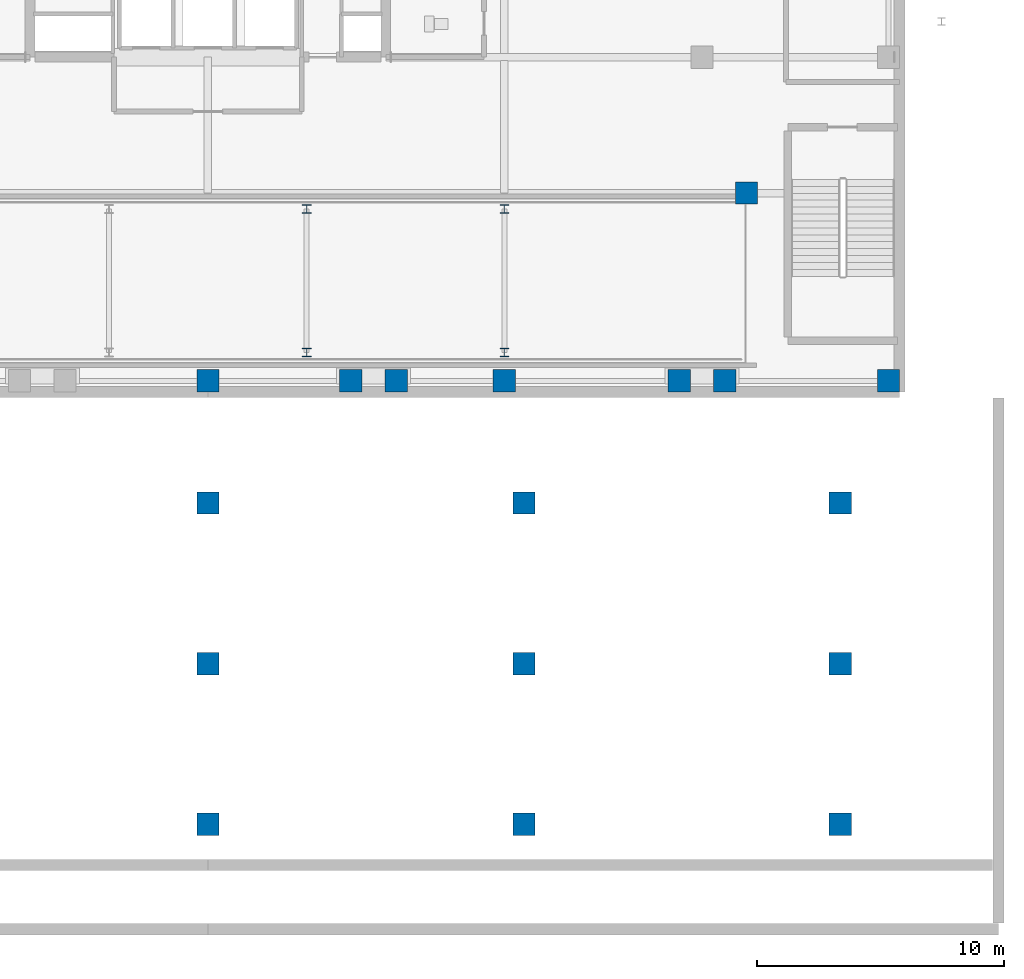
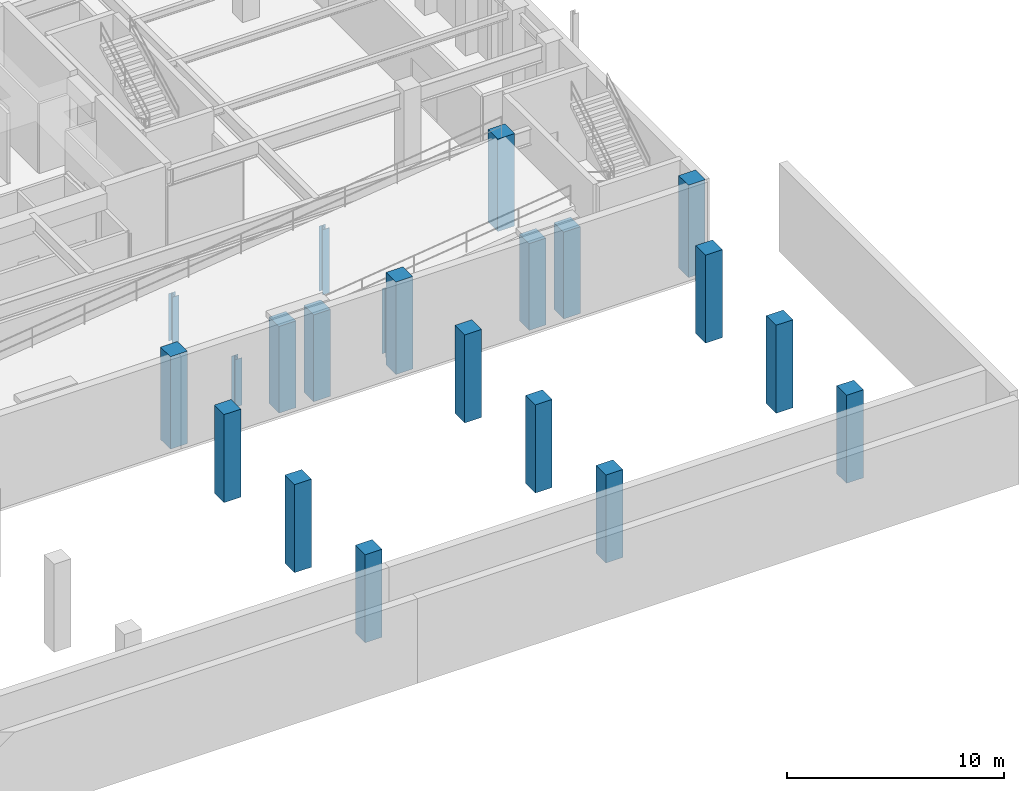
# One storey, part 2 of 16: 21 columns.
"""IFC4 building model written with IfcOpenShell, lengths in metres."""

from ifc_helpers import new_model, si_unit, direction, frame, origin, origin_2d, place, context, subcontext, project, spatial, rectangle, i_section, extrude, material, material_profile, profile_set, type_object, element, save


model = new_model("IFC4")

# Units and contexts
model_context = context("Model", 3, precision=1e-05, world=origin(), true_north=direction((0.0, 1.0)))
body_context = subcontext(model_context, "Body", "Model", "MODEL_VIEW")
ifc_project = project(units=[si_unit("LENGTHUNIT", "METRE"), si_unit("AREAUNIT", "SQUARE_METRE"), si_unit("VOLUMEUNIT", "CUBIC_METRE"), si_unit("PLANEANGLEUNIT", "RADIAN"), si_unit("MASSUNIT", "GRAM", prefix="KILO")], contexts=[model_context])

# Site, building, storey
site_placement = place(None, origin())
site = spatial("IfcSite", under=ifc_project, at=site_placement, CompositionType="ELEMENT")
building_placement = place(site_placement, origin())
building = spatial("IfcBuilding", under=site, at=building_placement, Name="Veldorina Hangang Commons", CompositionType="ELEMENT")
storey_placement = place(building_placement, frame((0.0, 0.0, -5.199951171875)))
storey = spatial("IfcBuildingStorey", under=building, at=storey_placement, Name="B01", CompositionType="ELEMENT", Elevation=-5.199951171875)

# Columns
ifc_material_1 = material(Name="Steel SM420-TMC", Category="steel")
ifc_material_profile_1 = material_profile(ifc_material_1, i_section(OverallWidth=0.35009765625, OverallDepth=0.35009765625, WebThickness=0.011962890625, FlangeThickness=0.01904296875, FilletRadius=0.01611328125, at=origin_2d()), Name="H-350x350x12x19")
ifc_profile_set_1 = profile_set([ifc_material_profile_1], Name="Steel SM420-TMC")
column_type_1 = type_object("IfcColumnType", Name="COL-H350", PredefinedType="COLUMN", material=ifc_profile_set_1)
for number, where, z_axis, x_axis, name in (
    (1, (36.0, 4.60009765625, 0.0), (0.0, 0.0, 1.0), (1.0, 0.0, 0.0), "B01 vehicle ramp support column 3S"),
    (2, (36.0, 10.39990234375, 0.0), (0.0, 0.0, 1.0), (1.0, 0.0, 0.0), "B01 vehicle ramp support column 3N"),
):
    element("IfcColumn", number, at=place(storey_placement, frame(where, z_axis=z_axis, x_axis=x_axis)), inside=storey, type_object=column_type_1, Name=name, PredefinedType="COLUMN", context=body_context, shape_type="SweptSolid", body=[
        extrude(i_section(OverallWidth=0.35009765625, OverallDepth=0.35009765625, WebThickness=0.011962890625, FlangeThickness=0.01904296875, FilletRadius=0.01611328125, at=origin_2d()), origin(), (0.0, 0.0, 1.0), 2.6669921875),
    ])
for number, where, z_axis, x_axis, name in (
    (3, (44.0, 4.60009765625, 0.0), (0.0, 0.0, 1.0), (1.0, 0.0, 0.0), "B01 vehicle ramp support column 4S"),
    (4, (44.0, 10.39990234375, 0.0), (0.0, 0.0, 1.0), (1.0, 0.0, 0.0), "B01 vehicle ramp support column 4N"),
):
    element("IfcColumn", number, at=place(storey_placement, frame(where, z_axis=z_axis, x_axis=x_axis)), inside=storey, type_object=column_type_1, Name=name, PredefinedType="COLUMN", context=body_context, shape_type="SweptSolid", body=[
        extrude(i_section(OverallWidth=0.35009765625, OverallDepth=0.35009765625, WebThickness=0.011962890625, FlangeThickness=0.01904296875, FilletRadius=0.01611328125, at=origin_2d()), origin(), (0.0, 0.0, 1.0), 3.659912109375),
    ])
ifc_material_2 = material(Name="Concrete C50/60", Category="concrete")
ifc_material_profile_2 = material_profile(ifc_material_2, rectangle(XDim=0.89990234375, YDim=0.89990234375, at=origin_2d()), Name="RC-COL-900x900")
ifc_profile_set_2 = profile_set([ifc_material_profile_2], Name="Concrete C50/60")
column_type_2 = type_object("IfcColumnType", Name="COL-RC900", PredefinedType="COLUMN", material=ifc_profile_set_2)
for number, where, z_axis, x_axis, name in (
    (5, (32.0, -14.5, 0.0), (0.0, 0.0, 1.0), (1.0, 0.0, 0.0), "B01 promenade substructure column 13"),
    (6, (44.800048828125, -14.5, 0.0), (0.0, 0.0, 1.0), (1.0, 0.0, 0.0), "B01 promenade substructure column 14"),
    (7, (57.60009765625, -14.5, 0.0), (0.0, 0.0, 1.0), (1.0, 0.0, 0.0), "B01 promenade substructure column 15"),
    (8, (32.0, -8.0, 0.0), (0.0, 0.0, 1.0), (1.0, 0.0, 0.0), "B01 promenade substructure column 23"),
    (9, (44.800048828125, -8.0, 0.0), (0.0, 0.0, 1.0), (1.0, 0.0, 0.0), "B01 promenade substructure column 24"),
    (10, (57.60009765625, -8.0, 0.0), (0.0, 0.0, 1.0), (1.0, 0.0, 0.0), "B01 promenade substructure column 25"),
    (11, (32.0, -1.5, 0.0), (0.0, 0.0, 1.0), (1.0, 0.0, 0.0), "B01 promenade substructure column 33"),
    (12, (44.800048828125, -1.5, 0.0), (0.0, 0.0, 1.0), (1.0, 0.0, 0.0), "B01 promenade substructure column 34"),
    (13, (57.60009765625, -1.5, 0.0), (0.0, 0.0, 1.0), (1.0, 0.0, 0.0), "B01 promenade substructure column 35"),
):
    element("IfcColumn", number, at=place(storey_placement, frame(where, z_axis=z_axis, x_axis=x_axis)), inside=storey, type_object=column_type_2, Name=name, PredefinedType="COLUMN", context=body_context, shape_type="SweptSolid", body=[
        extrude(rectangle(XDim=0.89990234375, YDim=0.89990234375, at=origin_2d()), origin(), (0.0, 0.0, 1.0), 4.949951171875),
    ])
for number, where, z_axis, x_axis, name in (
    (14, (32.0, 3.449951171875, 0.0), (0.0, 0.0, 1.0), (1.0, 0.0, 0.0), "B01 structural column S4"),
    (15, (44.0, 3.449951171875, 0.0), (0.0, 0.0, 1.0), (1.0, 0.0, 0.0), "B01 structural column S5"),
    (16, (59.550048828125, 3.449951171875, 0.0), (0.0, 0.0, 1.0), (1.0, 0.0, 0.0), "B01 structural column S7"),
):
    element("IfcColumn", number, at=place(storey_placement, frame(where, z_axis=z_axis, x_axis=x_axis)), inside=storey, type_object=column_type_2, Name=name, PredefinedType="COLUMN", context=body_context, shape_type="SweptSolid", body=[
        extrude(rectangle(XDim=0.89990234375, YDim=0.89990234375, at=origin_2d()), origin(), (0.0, 0.0, 1.0), 5.199951171875),
    ])
for number, where, z_axis, x_axis, name in (
    (17, (37.780029296875, 3.449951171875, 0.0), (0.0, 0.0, 1.0), (1.0, 0.0, 0.0), "B01 structural column VC-3L"),
    (18, (39.6201171875, 3.449951171875, 0.0), (0.0, 0.0, 1.0), (1.0, 0.0, 0.0), "B01 structural column VC-3R"),
    (19, (51.080078125, 3.449951171875, 0.0), (0.0, 0.0, 1.0), (1.0, 0.0, 0.0), "B01 structural column VC-4L"),
    (20, (52.919921875, 3.449951171875, 0.0), (0.0, 0.0, 1.0), (1.0, 0.0, 0.0), "B01 structural column VC-4R"),
):
    element("IfcColumn", number, at=place(storey_placement, frame(where, z_axis=z_axis, x_axis=x_axis)), inside=storey, type_object=column_type_2, Name=name, PredefinedType="COLUMN", context=body_context, shape_type="SweptSolid", body=[
        extrude(rectangle(XDim=0.89990234375, YDim=0.89990234375, at=origin_2d()), origin(), (0.0, 0.0, 1.0), 4.8798828125),
    ])
column_placement = place(storey_placement, frame((53.800048828125, 11.050048828125, 0.0), z_axis=(0.0, 0.0, 1.0), x_axis=(1.0, 0.0, 0.0)))
element("IfcColumn", 21, at=column_placement, inside=storey, type_object=column_type_2, Name="B01 structural column BM6", PredefinedType="COLUMN", context=body_context, shape_type="SweptSolid", body=[
    extrude(rectangle(XDim=0.89990234375, YDim=0.89990234375, at=origin_2d()), origin(), (0.0, 0.0, 1.0), 5.199951171875),
])

save(model, "model.ifc")
